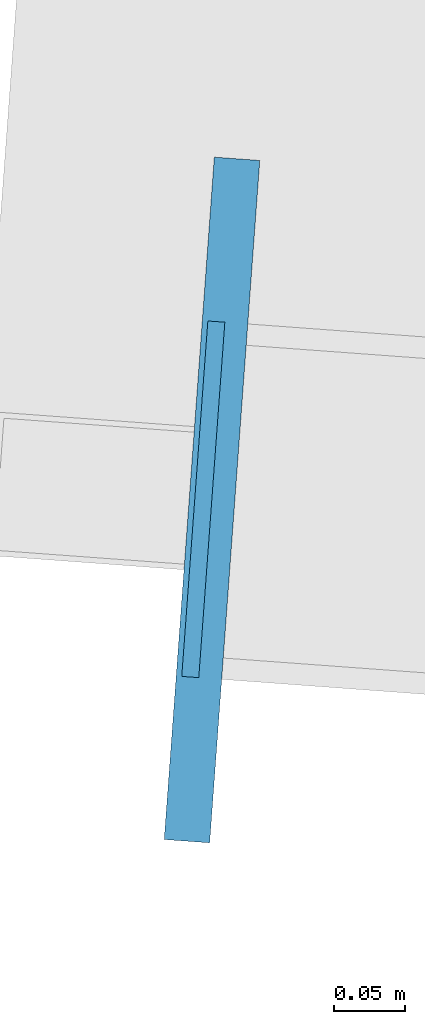
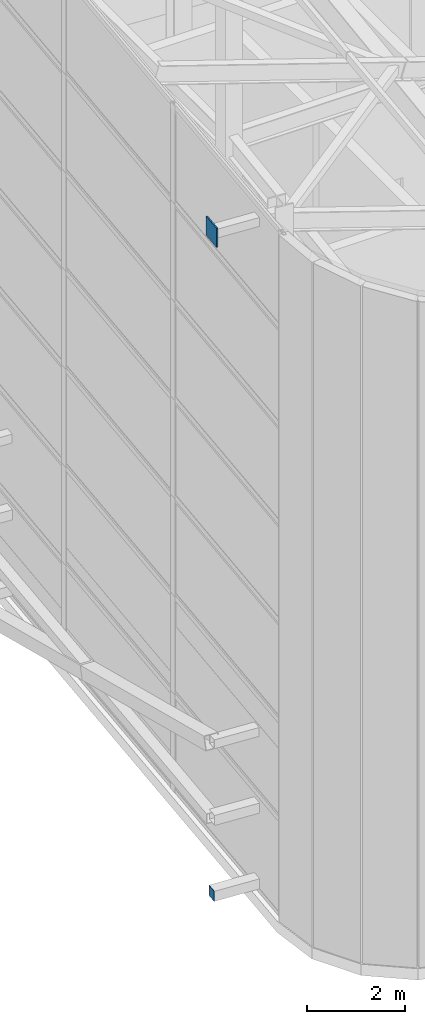
# One storey, part 38 of 56: 2 plates.
"""IFC4 building model written with IfcOpenShell, lengths in metres."""

from ifc_helpers import new_model, si_unit, direction, frame, origin, origin_2d, place, context, subcontext, project, spatial, rectangle, extrude, source, transform, mapped, material, layer, layer_set, type_object, element, save


model = new_model("IFC4")

# Units and contexts
model_context = context("Model", 3, precision=1e-05, world=origin(), true_north=direction((0.0, 1.0)))
body_context = subcontext(model_context, "Body", "Model", "MODEL_VIEW")
ifc_project = project(units=[si_unit("LENGTHUNIT", "METRE"), si_unit("AREAUNIT", "SQUARE_METRE"), si_unit("VOLUMEUNIT", "CUBIC_METRE"), si_unit("PLANEANGLEUNIT", "RADIAN"), si_unit("MASSUNIT", "GRAM", prefix="KILO")], contexts=[model_context])

# Site, building, storey
site_placement = place(None, origin())
site = spatial("IfcSite", under=ifc_project, at=site_placement, CompositionType="ELEMENT")
building_placement = place(site_placement, origin())
building = spatial("IfcBuilding", under=site, at=building_placement, Name="Taldren Reach Tower", CompositionType="ELEMENT")
storey_placement = place(building_placement, frame((0.0, 0.0, 253.050048828125)))
storey = spatial("IfcBuildingStorey", under=building, at=storey_placement, Name="L77", CompositionType="ELEMENT", Elevation=253.050048828125)

# Plates
ifc_material_1 = material(Name="Steel Gr 350 (C350L0)", Category="steel")
ifc_layer_1 = layer(ifc_material_1, 0.011962890625)
ifc_layer_set_1 = layer_set([ifc_layer_1], Name="Steel Gr 350 (C350L0)")
plate_type_1 = type_object("IfcPlateType", Name="PL-CAP-250", PredefinedType="SHEET", material=ifc_layer_set_1)
shared_shape_1 = source(origin(), body_context, "Body", "SweptSolid", [
    extrude(rectangle(XDim=0.011962890625, YDim=0.25, at=origin_2d()), origin(), (0.0, 0.0, 1.0), 0.25),
])
plate_1_placement = place(storey_placement, frame((10.707275390625, 10.345458984375, 0.094970703125), z_axis=(0.0, 0.0, 1.0), x_axis=(0.997314477224, -0.073238197128, 0.0)))
element("IfcPlate", 1, at=plate_1_placement, inside=storey, type_object=plate_type_1, Name="Tie strut end cap plate B5-W1 L77", PredefinedType="SHEET", context=body_context, shape_type="MappedRepresentation", body=[
    mapped(shared_shape_1, transform((0.0, 0.0, 0.0), scale=1.0)),
])
ifc_material_2 = material(Name="Steel Gr 450 (C450L0)", Category="steel")
ifc_layer_2 = layer(ifc_material_2, 0.031982421875)
ifc_layer_set_2 = layer_set([ifc_layer_2], Name="Steel Gr 450 (C450L0)")
plate_type_2 = type_object("IfcPlateType", Name="PL-GUSSET-32", PredefinedType="SHEET", material=ifc_layer_set_2)
shared_shape_2 = source(origin(), body_context, "Body", "SweptSolid", [
    extrude(rectangle(XDim=0.47998046875, YDim=0.031982421875, at=origin_2d()), origin(), (0.0, 0.0, 1.0), 0.47998046875),
])
plate_2_placement = place(storey_placement, frame((10.71337890625, 10.344970703125, 16.4736328125), z_axis=(0.0, 0.0, 1.0), x_axis=(0.073238197128, 0.997314477224, 0.0)))
element("IfcPlate", 2, at=plate_2_placement, inside=storey, type_object=plate_type_2, Name="Exoskeleton star-node gusset plate B5-W1 L77", PredefinedType="SHEET", context=body_context, shape_type="MappedRepresentation", body=[
    mapped(shared_shape_2, transform((0.0, 0.0, 0.0), scale=1.0)),
])

save(model, "model.ifc")
